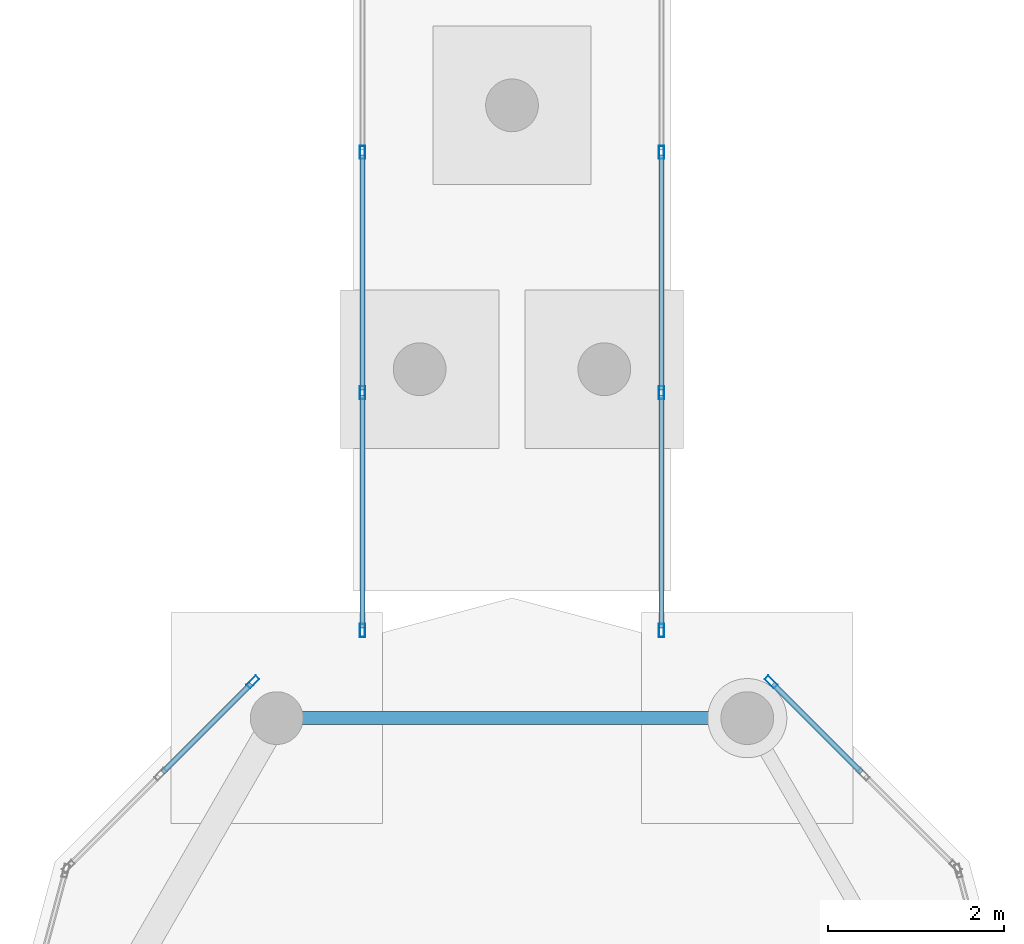
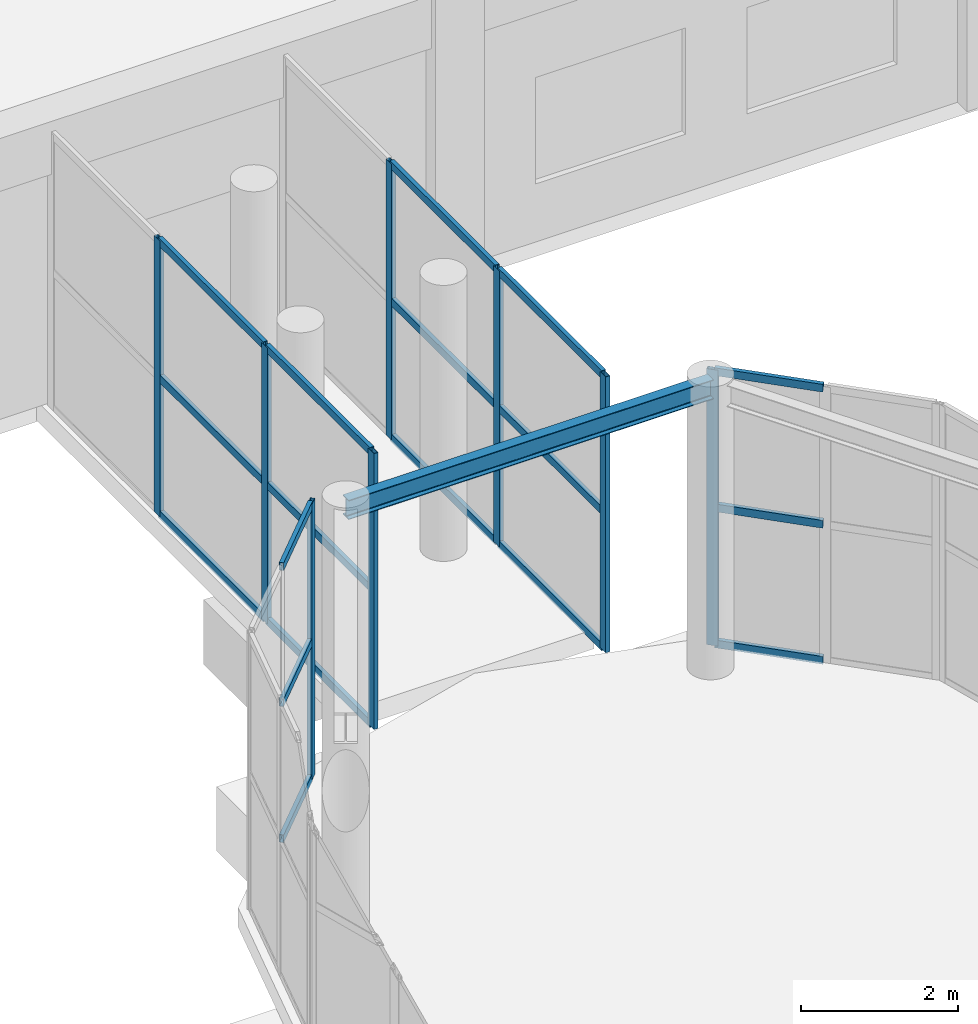
# One storey, part 64 of 139: 26 members, 1 beam, 4 elements without a shape of their own.
"""IFC4 building model written with IfcOpenShell, lengths in metres."""

from ifc_helpers import new_model, si_unit, direction, frame, origin, origin_2d, place, context, subcontext, project, spatial, hollow_rectangle, i_section, extrude, material, layer, layer_set, material_profile, profile_set, type_object, element, aggregate, save


model = new_model("IFC4")

# Units and contexts
model_context = context("Model", 3, precision=1e-05, world=origin(), true_north=direction((0.0, 1.0)))
body_context = subcontext(model_context, "Body", "Model", "MODEL_VIEW")
ifc_project = project(units=[si_unit("LENGTHUNIT", "METRE"), si_unit("AREAUNIT", "SQUARE_METRE"), si_unit("VOLUMEUNIT", "CUBIC_METRE"), si_unit("PLANEANGLEUNIT", "RADIAN"), si_unit("MASSUNIT", "GRAM", prefix="KILO")], contexts=[model_context])

# Site, building, storey
site_placement = place(None, origin())
site = spatial("IfcSite", under=ifc_project, at=site_placement, CompositionType="ELEMENT")
building_placement = place(site_placement, origin())
building = spatial("IfcBuilding", under=site, at=building_placement, Name="Zizhar Promenade General Hospital", CompositionType="ELEMENT")
storey_placement = place(building_placement, origin())
storey = spatial("IfcBuildingStorey", under=building, at=storey_placement, Name="L00", CompositionType="ELEMENT", Elevation=0.0)

# Beam
ifc_material_1 = material(Name="Steel S355", Category="steel")
ifc_material_profile_1 = material_profile(ifc_material_1, i_section(OverallWidth=0.14990234375, OverallDepth=0.300048828125, WebThickness=0.007080078125, FlangeThickness=0.0107421875, FilletRadius=0.014892578125, at=origin_2d()))
ifc_profile_set_1 = profile_set([ifc_material_profile_1], Name="Steel S355")
beam_type = type_object("IfcBeamType", Name="BM-STL-IPE300", PredefinedType="JOIST", material=ifc_profile_set_1)
beam_placement = place(storey_placement, frame((185.675048828125, 32.63330078125, 4.340087890625), z_axis=(-1.0, 0.0, 0.0), x_axis=(0.0, -1.0, 0.0)))
element("IfcBeam", 1, at=beam_placement, inside=storey, type_object=beam_type, Name="PAV-3 Roof Ring Beam 2", PredefinedType="JOIST", context=body_context, shape_type="SweptSolid", body=[
    extrude(i_section(OverallWidth=0.14990234375, OverallDepth=0.300048828125, WebThickness=0.007080078125, FlangeThickness=0.0107421875, FilletRadius=0.014892578125, at=origin_2d()), origin(), (0.0, 0.0, 1.0), 5.35009765625),
])

# Curtain wall, member
ifc_material_2 = material(Name="Anodised aluminium 6063-T6 and low-E glass", Category="aluminium")
ifc_layer = layer(ifc_material_2, 0.159912109375)
ifc_layer_set = layer_set([ifc_layer], Name="Anodised aluminium 6063-T6 and low-E glass")
curtain_wall_type = type_object("IfcCurtainWallType", Name="CW-PAV-GLZ", PredefinedType="NOTDEFINED", material=ifc_layer_set)
curtain_wall_1_placement = place(storey_placement, origin())
curtain_wall_1 = element("IfcCurtainWall", 2, at=curtain_wall_1_placement, inside=storey, type_object=curtain_wall_type, Name="Community Health Information Pavilion Curved Glazing 2", PredefinedType="NOTDEFINED")
ifc_material_3 = material(Name="Anodised aluminium 6063-T6", Category="aluminium")
ifc_material_profile_2 = material_profile(ifc_material_3, hollow_rectangle(XDim=0.06005859375, YDim=0.14990234375, WallThickness=0.00390625, at=origin_2d()))
ifc_profile_set_2 = profile_set([ifc_material_profile_2], Name="Anodised aluminium 6063-T6")
member_type_1 = type_object("IfcMemberType", Name="CWM-ALU-150x60", PredefinedType="MULLION", material=ifc_profile_set_2)
member_1_placement = place(storey_placement, frame((185.9462890625, 33.044921875, 0.0), z_axis=(0.0, 0.0, 1.0), x_axis=(0.707106781187, 0.707106781187, 0.0)))
member_1 = element("IfcMember", 3, at=member_1_placement, type_object=member_type_1, Name="CW-14 mullion 1", PredefinedType="MULLION", context=body_context, shape_type="SweptSolid", body=[
    extrude(hollow_rectangle(XDim=0.06005859375, YDim=0.14990234375, WallThickness=0.00390625, at=origin_2d()), origin(), (0.0, 0.0, 1.0), 4.280029296875),
])

curtain_wall_2_placement = place(storey_placement, origin())
curtain_wall_2 = element("IfcCurtainWall", 4, at=curtain_wall_2_placement, inside=storey, type_object=curtain_wall_type, Name="Community Health Information Pavilion Curved Glazing 5", PredefinedType="NOTDEFINED")
member_2_placement = place(storey_placement, frame((180.0537109375, 33.044921875, 0.0), z_axis=(0.0, 0.0, 1.0), x_axis=(-0.707106781187, 0.707106781187, 0.0)))
member_2 = element("IfcMember", 5, at=member_2_placement, type_object=member_type_1, Name="CW-14 mullion 3", PredefinedType="MULLION", context=body_context, shape_type="SweptSolid", body=[
    extrude(hollow_rectangle(XDim=0.06005859375, YDim=0.14990234375, WallThickness=0.00390625, at=origin_2d()), origin(), (0.0, 0.0, 1.0), 4.280029296875),
])

# Curtain wall, members
curtain_wall_3_placement = place(storey_placement, origin())
curtain_wall_3 = element("IfcCurtainWall", 6, at=curtain_wall_3_placement, inside=storey, type_object=curtain_wall_type, Name="Community Health Information Pavilion Link West Glazing", PredefinedType="NOTDEFINED")
member_3_placement = place(storey_placement, frame((181.300048828125, 33.6298828125, 0.0), z_axis=(0.0, 0.0, 1.0), x_axis=(-1.0, 0.0, 0.0)))
member_3 = element("IfcMember", 7, at=member_3_placement, type_object=member_type_1, Name="CW-14 mullion 1", PredefinedType="MULLION", context=body_context, shape_type="SweptSolid", body=[
    extrude(hollow_rectangle(XDim=0.06005859375, YDim=0.14990234375, WallThickness=0.00390625, at=origin_2d()), origin(), (0.0, 0.0, 1.0), 4.280029296875),
])
member_4_placement = place(storey_placement, frame((181.300048828125, 36.333251953125, 0.0), z_axis=(0.0, 0.0, 1.0), x_axis=(-1.0, 0.0, 0.0)))
member_4 = element("IfcMember", 8, at=member_4_placement, type_object=member_type_1, Name="CW-14 mullion 2", PredefinedType="MULLION", context=body_context, shape_type="SweptSolid", body=[
    extrude(hollow_rectangle(XDim=0.06005859375, YDim=0.14990234375, WallThickness=0.00390625, at=origin_2d()), origin(), (0.0, 0.0, 1.0), 4.280029296875),
])
member_5_placement = place(storey_placement, frame((181.300048828125, 39.066650390625, 0.0), z_axis=(0.0, 0.0, 1.0), x_axis=(-1.0, 0.0, 0.0)))
member_5 = element("IfcMember", 9, at=member_5_placement, type_object=member_type_1, Name="CW-14 mullion 3", PredefinedType="MULLION", context=body_context, shape_type="SweptSolid", body=[
    extrude(hollow_rectangle(XDim=0.06005859375, YDim=0.14990234375, WallThickness=0.00390625, at=origin_2d()), origin(), (0.0, 0.0, 1.0), 4.280029296875),
])

curtain_wall_4_placement = place(storey_placement, origin())
curtain_wall_4 = element("IfcCurtainWall", 10, at=curtain_wall_4_placement, inside=storey, type_object=curtain_wall_type, Name="Community Health Information Pavilion Link East Glazing", PredefinedType="NOTDEFINED")
member_6_placement = place(storey_placement, frame((184.699951171875, 39.066650390625, 0.0), z_axis=(0.0, 0.0, 1.0), x_axis=(1.0, 0.0, 0.0)))
member_6 = element("IfcMember", 11, at=member_6_placement, type_object=member_type_1, Name="CW-14 mullion 2", PredefinedType="MULLION", context=body_context, shape_type="SweptSolid", body=[
    extrude(hollow_rectangle(XDim=0.06005859375, YDim=0.14990234375, WallThickness=0.00390625, at=origin_2d()), origin(), (0.0, 0.0, 1.0), 4.280029296875),
])
member_7_placement = place(storey_placement, frame((184.699951171875, 36.333251953125, 0.0), z_axis=(0.0, 0.0, 1.0), x_axis=(1.0, 0.0, 0.0)))
member_7 = element("IfcMember", 12, at=member_7_placement, type_object=member_type_1, Name="CW-14 mullion 3", PredefinedType="MULLION", context=body_context, shape_type="SweptSolid", body=[
    extrude(hollow_rectangle(XDim=0.06005859375, YDim=0.14990234375, WallThickness=0.00390625, at=origin_2d()), origin(), (0.0, 0.0, 1.0), 4.280029296875),
])
member_8_placement = place(storey_placement, frame((184.699951171875, 33.6298828125, 0.0), z_axis=(0.0, 0.0, 1.0), x_axis=(1.0, 0.0, 0.0)))
member_8 = element("IfcMember", 13, at=member_8_placement, type_object=member_type_1, Name="CW-14 mullion 4", PredefinedType="MULLION", context=body_context, shape_type="SweptSolid", body=[
    extrude(hollow_rectangle(XDim=0.06005859375, YDim=0.14990234375, WallThickness=0.00390625, at=origin_2d()), origin(), (0.0, 0.0, 1.0), 4.280029296875),
])

# Member
ifc_material_4 = material(Name="Anodised aluminium 6063-T6", Category="aluminium")
ifc_material_profile_3 = material_profile(ifc_material_4, hollow_rectangle(XDim=0.06005859375, YDim=0.1201171875, WallThickness=0.00390625, at=origin_2d()))
ifc_profile_set_3 = profile_set([ifc_material_profile_3], Name="Anodised aluminium 6063-T6")
member_type_2 = type_object("IfcMemberType", Name="CWT-ALU-120x60", PredefinedType="USERDEFINED", material=ifc_profile_set_3)
member_9_placement = place(storey_placement, frame((185.967529296875, 33.023681640625, 0.030029296875), z_axis=(0.707106781187, -0.707106781187, 0.0), x_axis=(0.707106781187, 0.707106781187, 0.0)))
member_9 = element("IfcMember", 14, at=member_9_placement, type_object=member_type_2, Name="CW-14 transom 1.1", ObjectType="TRANSOM", PredefinedType="USERDEFINED", context=body_context, shape_type="SweptSolid", body=[
    extrude(hollow_rectangle(XDim=0.06005859375, YDim=0.1201171875, WallThickness=0.00390625, at=origin_2d()), origin(), (0.0, 0.0, 1.0), 1.423828125),
])

member_10_placement = place(storey_placement, frame((185.967529296875, 33.023681640625, 2.139892578125), z_axis=(0.707106781187, -0.707106781187, 0.0), x_axis=(0.707106781187, 0.707106781187, 0.0)))
member_10 = element("IfcMember", 15, at=member_10_placement, type_object=member_type_2, Name="CW-14 transom 1.2", ObjectType="TRANSOM", PredefinedType="USERDEFINED", context=body_context, shape_type="SweptSolid", body=[
    extrude(hollow_rectangle(XDim=0.06005859375, YDim=0.1201171875, WallThickness=0.00390625, at=origin_2d()), origin(), (0.0, 0.0, 1.0), 1.423828125),
])

member_11_placement = place(storey_placement, frame((185.967529296875, 33.023681640625, 4.25), z_axis=(0.707106781187, -0.707106781187, 0.0), x_axis=(0.707106781187, 0.707106781187, 0.0)))
member_11 = element("IfcMember", 16, at=member_11_placement, type_object=member_type_2, Name="CW-14 transom 1.3", ObjectType="TRANSOM", PredefinedType="USERDEFINED", context=body_context, shape_type="SweptSolid", body=[
    extrude(hollow_rectangle(XDim=0.06005859375, YDim=0.1201171875, WallThickness=0.00390625, at=origin_2d()), origin(), (0.0, 0.0, 1.0), 1.423828125),
])

aggregate(curtain_wall_1, [member_1, member_9, member_10, member_11])

member_12_placement = place(storey_placement, frame((179.025634765625, 32.016845703125, 0.030029296875), z_axis=(0.707106781187, 0.707106781187, 0.0), x_axis=(-0.707106781187, 0.707106781187, 0.0)))
member_12 = element("IfcMember", 17, at=member_12_placement, type_object=member_type_2, Name="CW-14 transom 2.1", ObjectType="TRANSOM", PredefinedType="USERDEFINED", context=body_context, shape_type="SweptSolid", body=[
    extrude(hollow_rectangle(XDim=0.06005859375, YDim=0.1201171875, WallThickness=0.00390625, at=origin_2d()), origin(), (0.0, 0.0, 1.0), 1.423828125),
])

member_13_placement = place(storey_placement, frame((179.025634765625, 32.016845703125, 2.139892578125), z_axis=(0.707106781187, 0.707106781187, 0.0), x_axis=(-0.707106781187, 0.707106781187, 0.0)))
member_13 = element("IfcMember", 18, at=member_13_placement, type_object=member_type_2, Name="CW-14 transom 2.2", ObjectType="TRANSOM", PredefinedType="USERDEFINED", context=body_context, shape_type="SweptSolid", body=[
    extrude(hollow_rectangle(XDim=0.06005859375, YDim=0.1201171875, WallThickness=0.00390625, at=origin_2d()), origin(), (0.0, 0.0, 1.0), 1.423828125),
])

member_14_placement = place(storey_placement, frame((179.025634765625, 32.016845703125, 4.25), z_axis=(0.707106781187, 0.707106781187, 0.0), x_axis=(-0.707106781187, 0.707106781187, 0.0)))
member_14 = element("IfcMember", 19, at=member_14_placement, type_object=member_type_2, Name="CW-14 transom 2.3", ObjectType="TRANSOM", PredefinedType="USERDEFINED", context=body_context, shape_type="SweptSolid", body=[
    extrude(hollow_rectangle(XDim=0.06005859375, YDim=0.1201171875, WallThickness=0.00390625, at=origin_2d()), origin(), (0.0, 0.0, 1.0), 1.423828125),
])

aggregate(curtain_wall_2, [member_2, member_12, member_13, member_14])

member_15_placement = place(storey_placement, frame((181.300048828125, 33.659912109375, 0.030029296875), z_axis=(0.0, 1.0, 0.0), x_axis=(-1.0, 0.0, 0.0)))
member_15 = element("IfcMember", 20, at=member_15_placement, type_object=member_type_2, Name="CW-14 transom 1.1", ObjectType="TRANSOM", PredefinedType="USERDEFINED", context=body_context, shape_type="SweptSolid", body=[
    extrude(hollow_rectangle(XDim=0.06005859375, YDim=0.1201171875, WallThickness=0.00390625, at=origin_2d()), origin(), (0.0, 0.0, 1.0), 2.643310546875),
])

member_16_placement = place(storey_placement, frame((181.300048828125, 33.659912109375, 2.139892578125), z_axis=(0.0, 1.0, 0.0), x_axis=(-1.0, 0.0, 0.0)))
member_16 = element("IfcMember", 21, at=member_16_placement, type_object=member_type_2, Name="CW-14 transom 1.2", ObjectType="TRANSOM", PredefinedType="USERDEFINED", context=body_context, shape_type="SweptSolid", body=[
    extrude(hollow_rectangle(XDim=0.06005859375, YDim=0.1201171875, WallThickness=0.00390625, at=origin_2d()), origin(), (0.0, 0.0, 1.0), 2.643310546875),
])

member_17_placement = place(storey_placement, frame((181.300048828125, 33.659912109375, 4.25), z_axis=(0.0, 1.0, 0.0), x_axis=(-1.0, 0.0, 0.0)))
member_17 = element("IfcMember", 22, at=member_17_placement, type_object=member_type_2, Name="CW-14 transom 1.3", ObjectType="TRANSOM", PredefinedType="USERDEFINED", context=body_context, shape_type="SweptSolid", body=[
    extrude(hollow_rectangle(XDim=0.06005859375, YDim=0.1201171875, WallThickness=0.00390625, at=origin_2d()), origin(), (0.0, 0.0, 1.0), 2.643310546875),
])

member_18_placement = place(storey_placement, frame((181.300048828125, 36.36328125, 0.030029296875), z_axis=(0.0, 1.0, 0.0), x_axis=(-1.0, 0.0, 0.0)))
member_18 = element("IfcMember", 23, at=member_18_placement, type_object=member_type_2, Name="CW-14 transom 2.1", ObjectType="TRANSOM", PredefinedType="USERDEFINED", context=body_context, shape_type="SweptSolid", body=[
    extrude(hollow_rectangle(XDim=0.06005859375, YDim=0.1201171875, WallThickness=0.00390625, at=origin_2d()), origin(), (0.0, 0.0, 1.0), 2.67333984375),
])

member_19_placement = place(storey_placement, frame((181.300048828125, 36.36328125, 2.139892578125), z_axis=(0.0, 1.0, 0.0), x_axis=(-1.0, 0.0, 0.0)))
member_19 = element("IfcMember", 24, at=member_19_placement, type_object=member_type_2, Name="CW-14 transom 2.2", ObjectType="TRANSOM", PredefinedType="USERDEFINED", context=body_context, shape_type="SweptSolid", body=[
    extrude(hollow_rectangle(XDim=0.06005859375, YDim=0.1201171875, WallThickness=0.00390625, at=origin_2d()), origin(), (0.0, 0.0, 1.0), 2.67333984375),
])

member_20_placement = place(storey_placement, frame((181.300048828125, 36.36328125, 4.25), z_axis=(0.0, 1.0, 0.0), x_axis=(-1.0, 0.0, 0.0)))
member_20 = element("IfcMember", 25, at=member_20_placement, type_object=member_type_2, Name="CW-14 transom 2.3", ObjectType="TRANSOM", PredefinedType="USERDEFINED", context=body_context, shape_type="SweptSolid", body=[
    extrude(hollow_rectangle(XDim=0.06005859375, YDim=0.1201171875, WallThickness=0.00390625, at=origin_2d()), origin(), (0.0, 0.0, 1.0), 2.67333984375),
])

aggregate(curtain_wall_3, [member_3, member_4, member_5, member_15, member_16, member_17, member_18, member_19, member_20])

member_21_placement = place(storey_placement, frame((184.699951171875, 39.03662109375, 0.030029296875), z_axis=(0.0, -1.0, 0.0), x_axis=(1.0, 0.0, 0.0)))
member_21 = element("IfcMember", 26, at=member_21_placement, type_object=member_type_2, Name="CW-14 transom 2.1", ObjectType="TRANSOM", PredefinedType="USERDEFINED", context=body_context, shape_type="SweptSolid", body=[
    extrude(hollow_rectangle(XDim=0.06005859375, YDim=0.1201171875, WallThickness=0.00390625, at=origin_2d()), origin(), (0.0, 0.0, 1.0), 2.67333984375),
])

member_22_placement = place(storey_placement, frame((184.699951171875, 39.03662109375, 2.139892578125), z_axis=(0.0, -1.0, 0.0), x_axis=(1.0, 0.0, 0.0)))
member_22 = element("IfcMember", 27, at=member_22_placement, type_object=member_type_2, Name="CW-14 transom 2.2", ObjectType="TRANSOM", PredefinedType="USERDEFINED", context=body_context, shape_type="SweptSolid", body=[
    extrude(hollow_rectangle(XDim=0.06005859375, YDim=0.1201171875, WallThickness=0.00390625, at=origin_2d()), origin(), (0.0, 0.0, 1.0), 2.67333984375),
])

member_23_placement = place(storey_placement, frame((184.699951171875, 39.03662109375, 4.25), z_axis=(0.0, -1.0, 0.0), x_axis=(1.0, 0.0, 0.0)))
member_23 = element("IfcMember", 28, at=member_23_placement, type_object=member_type_2, Name="CW-14 transom 2.3", ObjectType="TRANSOM", PredefinedType="USERDEFINED", context=body_context, shape_type="SweptSolid", body=[
    extrude(hollow_rectangle(XDim=0.06005859375, YDim=0.1201171875, WallThickness=0.00390625, at=origin_2d()), origin(), (0.0, 0.0, 1.0), 2.67333984375),
])

member_24_placement = place(storey_placement, frame((184.699951171875, 36.30322265625, 0.030029296875), z_axis=(0.0, -1.0, 0.0), x_axis=(1.0, 0.0, 0.0)))
member_24 = element("IfcMember", 29, at=member_24_placement, type_object=member_type_2, Name="CW-14 transom 3.1", ObjectType="TRANSOM", PredefinedType="USERDEFINED", context=body_context, shape_type="SweptSolid", body=[
    extrude(hollow_rectangle(XDim=0.06005859375, YDim=0.1201171875, WallThickness=0.00390625, at=origin_2d()), origin(), (0.0, 0.0, 1.0), 2.643310546875),
])

member_25_placement = place(storey_placement, frame((184.699951171875, 36.30322265625, 2.139892578125), z_axis=(0.0, -1.0, 0.0), x_axis=(1.0, 0.0, 0.0)))
member_25 = element("IfcMember", 30, at=member_25_placement, type_object=member_type_2, Name="CW-14 transom 3.2", ObjectType="TRANSOM", PredefinedType="USERDEFINED", context=body_context, shape_type="SweptSolid", body=[
    extrude(hollow_rectangle(XDim=0.06005859375, YDim=0.1201171875, WallThickness=0.00390625, at=origin_2d()), origin(), (0.0, 0.0, 1.0), 2.643310546875),
])

member_26_placement = place(storey_placement, frame((184.699951171875, 36.30322265625, 4.25), z_axis=(0.0, -1.0, 0.0), x_axis=(1.0, 0.0, 0.0)))
member_26 = element("IfcMember", 31, at=member_26_placement, type_object=member_type_2, Name="CW-14 transom 3.3", ObjectType="TRANSOM", PredefinedType="USERDEFINED", context=body_context, shape_type="SweptSolid", body=[
    extrude(hollow_rectangle(XDim=0.06005859375, YDim=0.1201171875, WallThickness=0.00390625, at=origin_2d()), origin(), (0.0, 0.0, 1.0), 2.643310546875),
])

aggregate(curtain_wall_4, [member_6, member_7, member_8, member_21, member_22, member_23, member_24, member_25, member_26])

save(model, "model.ifc")
